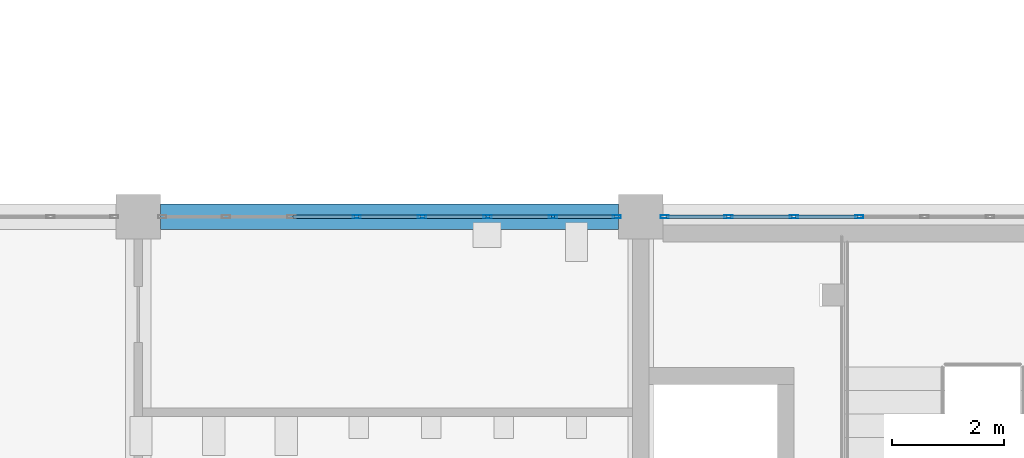
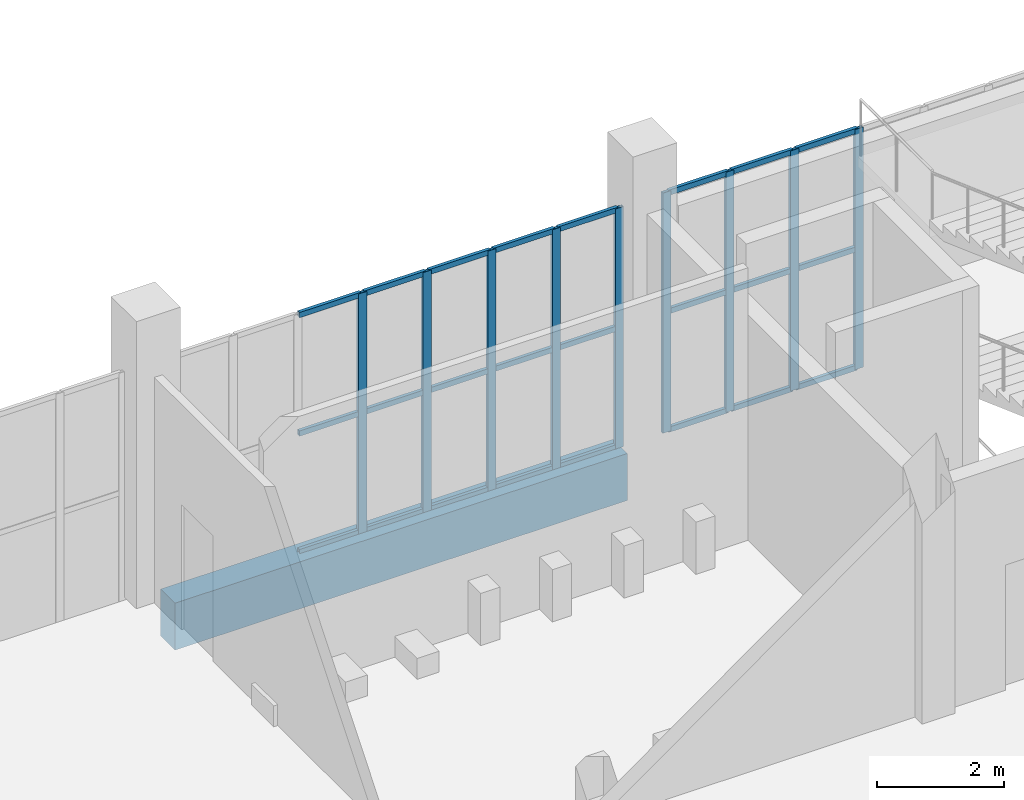
# One storey, part 39 of 185: 33 members, 1 beam, 2 elements without a shape of their own.
"""IFC4 building model written with IfcOpenShell, lengths in metres."""

import ifcopenshell
import ifcopenshell.guid

model = None  # the IFC model being written
_history = None  # IfcOwnerHistory: only IFC2X3 demands one
_inside = {}  # id of a spatial element -> (the spatial element, [elements in it])
_under = {}  # id of a project, library or spatial element -> (it, [spatial elements below it])
_declared = {}  # id of a project -> (the project, [libraries it declares])
_typed = {}  # id of a type object -> (the type object, [elements of that type])
_made_of = {}  # id of a material, layer set ... -> (it, [elements and type objects made of it])


def new_model(schema):
    """Start an empty IFC model of exactly this schema.

    Asked for "IFC4X3", IfcOpenShell would pick the latest addendum, in which some entities
    have other attributes; the version numbers below select the first issue.
    IFC2X3 requires an IfcOwnerHistory on every rooted entity: one is made here for all.
    """
    global model, _history
    if schema == "IFC4X3":
        model = ifcopenshell.file(schema_version=(4, 3, 0, 0))
    else:
        model = ifcopenshell.file(schema=schema)
    _inside.clear()
    _under.clear()
    _declared.clear()
    _typed.clear()
    _made_of.clear()
    _history = None
    if model.schema == "IFC2X3":
        org = make("IfcOrganization", Name="unknown")
        user = make(
            "IfcPersonAndOrganization",
            ThePerson=make("IfcPerson", FamilyName="unknown"),
            TheOrganization=org,
        )
        app = make(
            "IfcApplication",
            ApplicationDeveloper=org,
            Version="unknown",
            ApplicationFullName="unknown",
            ApplicationIdentifier="unknown",
        )
        _history = make(
            "IfcOwnerHistory",
            OwningUser=user,
            OwningApplication=app,
            ChangeAction="ADDED",
            CreationDate=0,
        )
    return model


def make(cls, **values):
    """One entity of the class cls with the attributes given. An attribute that is None is left unset."""
    return model.create_entity(
        cls, **{name: value for name, value in values.items() if value is not None}
    )


def rooted(cls, **values):
    """An entity with a GlobalId (a new one), such as an element, a storey or a relation."""
    return make(cls, GlobalId=ifcopenshell.guid.new(), OwnerHistory=_history, **values)


def si_unit(unit_type, name, prefix=None):
    """IfcSIUnit, for example si_unit("LENGTHUNIT", "METRE", prefix="MILLI")."""
    return make("IfcSIUnit", UnitType=unit_type, Prefix=prefix, Name=name)


def assignment(units):
    """IfcUnitAssignment: the units of a project."""
    return None if units is None else make("IfcUnitAssignment", Units=units)


def point(xyz):
    """IfcCartesianPoint."""
    return None if xyz is None else make("IfcCartesianPoint", Coordinates=xyz)


def direction(xyz):
    """IfcDirection."""
    return None if xyz is None else make("IfcDirection", DirectionRatios=xyz)


def frame(location, z_axis=None, x_axis=None):
    """IfcAxis2Placement3D, a coordinate frame: its origin and axes. An axis left out is left unset."""
    return make(
        "IfcAxis2Placement3D",
        Location=point(location),
        Axis=direction(z_axis),
        RefDirection=direction(x_axis),
    )


def frame_2d(location, x_axis=None):
    """IfcAxis2Placement2D, a coordinate frame in the plane: its origin and x axis."""
    return make(
        "IfcAxis2Placement2D", Location=point(location), RefDirection=direction(x_axis)
    )


def origin():
    """The frame at (0, 0, 0) with its axes left unset."""
    return frame((0.0, 0.0, 0.0))


def origin_2d():
    """The frame at (0, 0) in the plane with its x axis left unset."""
    return frame_2d((0.0, 0.0))


def place(relative_to, where):
    """IfcLocalPlacement: puts the frame where relative to a parent placement (None: the world)."""
    return make(
        "IfcLocalPlacement", PlacementRelTo=relative_to, RelativePlacement=where
    )


def context(
    kind, dimensions, precision=None, world=None, true_north=None, identifier=None
):
    """IfcGeometricRepresentationContext, for example the 3D "Model" context."""
    return make(
        "IfcGeometricRepresentationContext",
        ContextIdentifier=identifier,
        ContextType=kind,
        CoordinateSpaceDimension=dimensions,
        Precision=precision,
        WorldCoordinateSystem=world,
        TrueNorth=true_north,
    )


def subcontext(parent, identifier, kind, view, scale=None):
    """IfcGeometricRepresentationSubContext, for example "Body" below "Model"."""
    return make(
        "IfcGeometricRepresentationSubContext",
        ContextIdentifier=identifier,
        ContextType=kind,
        ParentContext=parent,
        TargetScale=scale,
        TargetView=view,
    )


def project(units=None, contexts=None):
    """IfcProject with its units and contexts."""
    return rooted(
        "IfcProject",
        Name="project",
        RepresentationContexts=contexts,
        UnitsInContext=assignment(units),
    )


def spatial(cls, under=None, at=None, **own):
    """A site, building, storey or space (cls), placed at a placement, below another one or the project."""
    s = rooted(cls, ObjectPlacement=at, **own)
    if under is not None:
        _under.setdefault(under.id(), (under, []))[1].append(s)
    return s


def profile(cls, at=None, kind="AREA", **sizes):
    """A parametric profile (cls). Its sizes go by their IFC names, for example OverallWidth=200.0."""
    return make(cls, ProfileType=kind, Position=at, **sizes)


def rectangle(**sizes):
    """IfcRectangleProfileDef."""
    return profile("IfcRectangleProfileDef", **sizes)


def hollow_rectangle(**sizes):
    """IfcRectangleHollowProfileDef."""
    return profile("IfcRectangleHollowProfileDef", **sizes)


def extrude(swept, where, along, depth):
    """IfcExtrudedAreaSolid: the profile swept, set in the frame where, extruded along a direction by depth."""
    return make(
        "IfcExtrudedAreaSolid",
        SweptArea=swept,
        Position=where,
        ExtrudedDirection=direction(along),
        Depth=depth,
    )


def shape(context_of_items, identifier, shape_type, items):
    """IfcShapeRepresentation: the items that make up one representation, for example the "Body"."""
    return make(
        "IfcShapeRepresentation",
        ContextOfItems=context_of_items,
        RepresentationIdentifier=identifier,
        RepresentationType=shape_type,
        Items=items,
    )


def material(Name=None, Category=None):
    """IfcMaterial."""
    return make("IfcMaterial", Name=Name, Category=Category)


def layer(
    of_material, thickness, ventilated=None, Name=None, Category=None, Priority=None
):
    """IfcMaterialLayer: one layer of a wall or slab, of a material (None: an air gap)."""
    return make(
        "IfcMaterialLayer",
        Material=of_material,
        LayerThickness=thickness,
        IsVentilated=ventilated,
        Name=Name,
        Category=Category,
        Priority=Priority,
    )


def layer_set(layers, Name=None):
    """IfcMaterialLayerSet."""
    return make("IfcMaterialLayerSet", MaterialLayers=layers, LayerSetName=Name)


def material_profile(
    of_material, cross_section, Name=None, Category=None, Priority=None
):
    """IfcMaterialProfile: a cross section and its material."""
    return make(
        "IfcMaterialProfile",
        Name=Name,
        Material=of_material,
        Profile=cross_section,
        Priority=Priority,
        Category=Category,
    )


def profile_set(profiles, Name=None, composite=None):
    """IfcMaterialProfileSet."""
    return make(
        "IfcMaterialProfileSet",
        Name=Name,
        MaterialProfiles=profiles,
        CompositeProfile=composite,
    )


def made_of(thing, what):
    """Note that an element or type object is made of a material, layer set ...; save() writes the relation."""
    if what is not None:
        _made_of.setdefault(what.id(), (what, []))[1].append(thing)
    return thing


def type_object(cls, material=None, **own):
    """A type object (cls), such as IfcWallType, which elements share."""
    return made_of(rooted(cls, **own), material)


def element(
    cls,
    number,
    at=None,
    inside=None,
    cuts=None,
    type_object=None,
    material=None,
    context=None,
    identifier="Body",
    shape_type=None,
    held_by="IfcProductDefinitionShape",
    body=None,
    shapes=None,
    **own,
):
    """One element of the class cls, such as IfcWall. Its Tag is "e" and its number.

    at: its placement. inside: the storey or other place that contains it. cuts: it is an
    opening in that element (IfcRelVoidsElement). A single representation is given by context,
    identifier, shape_type and body (its items); several are given by shapes. held_by: the class
    of the entity that holds the representations. save() writes the other relations.
    """
    e = rooted(cls, Tag="e%d" % number, ObjectPlacement=at, **own)
    if body is not None:
        shapes = [shape(context, identifier, shape_type, body)]
    if shapes is not None:
        e.Representation = make(held_by, Representations=shapes)
    if inside is not None:
        _inside.setdefault(inside.id(), (inside, []))[1].append(e)
    if cuts is not None:
        rooted(
            "IfcRelVoidsElement", RelatingBuildingElement=cuts, RelatedOpeningElement=e
        )
    if type_object is not None:
        _typed.setdefault(type_object.id(), (type_object, []))[1].append(e)
    return made_of(e, material)


def aggregate(whole, parts):
    """IfcRelAggregates: a whole, such as a stair, and the parts it consists of."""
    return rooted("IfcRelAggregates", RelatingObject=whole, RelatedObjects=parts)


def save(model, path):
    """Write the relations noted so far, then the file.

    IfcRelAggregates (storeys below a building ...), IfcRelContainedInSpatialStructure (elements
    in a storey), IfcRelDefinesByType, IfcRelAssociatesMaterial and IfcRelDeclares: one each for
    every whole, place, type object, material and project.
    """
    for whole, parts in _under.values():
        aggregate(whole, parts)
    for where, things in _inside.values():
        rooted(
            "IfcRelContainedInSpatialStructure",
            RelatedElements=things,
            RelatingStructure=where,
        )
    for kind, things in _typed.values():
        rooted("IfcRelDefinesByType", RelatedObjects=things, RelatingType=kind)
    for what, things in _made_of.values():
        rooted("IfcRelAssociatesMaterial", RelatedObjects=things, RelatingMaterial=what)
    for by, libraries in _declared.values():
        rooted("IfcRelDeclares", RelatingContext=by, RelatedDefinitions=libraries)
    model.write(path)


model = new_model("IFC4")

# Units and contexts
model_context = context("Model", 3, precision=1e-05, world=origin(), true_north=direction((0.0, 1.0)))
body_context = subcontext(model_context, "Body", "Model", "MODEL_VIEW")
ifc_project = project(units=[si_unit("LENGTHUNIT", "METRE"), si_unit("AREAUNIT", "SQUARE_METRE"), si_unit("VOLUMEUNIT", "CUBIC_METRE"), si_unit("PLANEANGLEUNIT", "RADIAN"), si_unit("MASSUNIT", "GRAM", prefix="KILO")], contexts=[model_context])

# Site, building, storey
site_placement = place(None, origin())
site = spatial("IfcSite", under=ifc_project, at=site_placement, CompositionType="ELEMENT")
building_placement = place(site_placement, origin())
building = spatial("IfcBuilding", under=site, at=building_placement, Name="Opaline Strait Convention Centre", CompositionType="ELEMENT")
storey_placement = place(building_placement, frame((0.0, 0.0, 6.0)))
storey = spatial("IfcBuildingStorey", under=building, at=storey_placement, Name="L01", CompositionType="ELEMENT", Elevation=6.0)

# Curtain wall, members
ifc_material_1 = material(Name="Aluminium framed double glazing", Category="aluminium")
ifc_layer = layer(ifc_material_1, 0.199951171875)
ifc_layer_set = layer_set([ifc_layer], Name="Aluminium framed double glazing")
curtain_wall_type = type_object("IfcCurtainWallType", Name="Curtain wall 1250", PredefinedType="NOTDEFINED", material=ifc_layer_set)
curtain_wall_1_placement = place(storey_placement, origin())
curtain_wall_1 = element("IfcCurtainWall", 1, at=curtain_wall_1_placement, inside=storey, type_object=curtain_wall_type, Name="Curtain wall N-54-L01", PredefinedType="NOTDEFINED")
ifc_material_2 = material(Name="Aluminium alloy 6063", Category="aluminium")
ifc_material_profile_1 = material_profile(ifc_material_2, hollow_rectangle(XDim=0.06005859375, YDim=0.14990234375, WallThickness=0.00390625, at=origin_2d()), Name="MULLION 60x150x4")
ifc_profile_set_1 = profile_set([ifc_material_profile_1], Name="Aluminium alloy 6063")
member_type_1 = type_object("IfcMemberType", Name="Curtain wall mullion 60 x 150", PredefinedType="MULLION", material=ifc_profile_set_1)
member_1_placement = place(storey_placement, frame((57.914306640625, 180.0, -0.280029296875), z_axis=(0.0, 0.0, 1.0), x_axis=(0.0, 1.0, 0.0)))
member_1 = element("IfcMember", 2, at=member_1_placement, type_object=member_type_1, Name="PCW mullion 4", PredefinedType="MULLION", context=body_context, shape_type="SweptSolid", body=[
    extrude(hollow_rectangle(XDim=0.06005859375, YDim=0.14990234375, WallThickness=0.00390625, at=origin_2d()), origin(), (0.0, 0.0, 1.0), 4.60009765625),
])
member_2_placement = place(storey_placement, frame((59.085693359375, 180.0, -0.280029296875), z_axis=(0.0, 0.0, 1.0), x_axis=(0.0, 1.0, 0.0)))
member_2 = element("IfcMember", 3, at=member_2_placement, type_object=member_type_1, Name="PCW mullion 5", PredefinedType="MULLION", context=body_context, shape_type="SweptSolid", body=[
    extrude(hollow_rectangle(XDim=0.06005859375, YDim=0.14990234375, WallThickness=0.00390625, at=origin_2d()), origin(), (0.0, 0.0, 1.0), 4.60009765625),
])
member_3_placement = place(storey_placement, frame((60.257080078125, 180.0, -0.280029296875), z_axis=(0.0, 0.0, 1.0), x_axis=(0.0, 1.0, 0.0)))
member_3 = element("IfcMember", 4, at=member_3_placement, type_object=member_type_1, Name="PCW mullion 6", PredefinedType="MULLION", context=body_context, shape_type="SweptSolid", body=[
    extrude(hollow_rectangle(XDim=0.06005859375, YDim=0.14990234375, WallThickness=0.00390625, at=origin_2d()), origin(), (0.0, 0.0, 1.0), 4.60009765625),
])
member_4_placement = place(storey_placement, frame((61.4287109375, 180.0, -0.280029296875), z_axis=(0.0, 0.0, 1.0), x_axis=(0.0, 1.0, 0.0)))
member_4 = element("IfcMember", 5, at=member_4_placement, type_object=member_type_1, Name="PCW mullion 7", PredefinedType="MULLION", context=body_context, shape_type="SweptSolid", body=[
    extrude(hollow_rectangle(XDim=0.06005859375, YDim=0.14990234375, WallThickness=0.00390625, at=origin_2d()), origin(), (0.0, 0.0, 1.0), 4.60009765625),
])
member_5_placement = place(storey_placement, frame((62.570068359375, 180.0, -0.280029296875), z_axis=(0.0, 0.0, 1.0), x_axis=(0.0, 1.0, 0.0)))
member_5 = element("IfcMember", 6, at=member_5_placement, type_object=member_type_1, Name="PCW mullion 8", PredefinedType="MULLION", context=body_context, shape_type="SweptSolid", body=[
    extrude(hollow_rectangle(XDim=0.06005859375, YDim=0.14990234375, WallThickness=0.00390625, at=origin_2d()), origin(), (0.0, 0.0, 1.0), 4.60009765625),
])

curtain_wall_2_placement = place(storey_placement, origin())
curtain_wall_2 = element("IfcCurtainWall", 7, at=curtain_wall_2_placement, inside=storey, type_object=curtain_wall_type, Name="Curtain wall N-63-L01", PredefinedType="NOTDEFINED")
member_6_placement = place(storey_placement, frame((63.429931640625, 180.0, -0.280029296875), z_axis=(0.0, 0.0, 1.0), x_axis=(0.0, 1.0, 0.0)))
member_6 = element("IfcMember", 8, at=member_6_placement, type_object=member_type_1, Name="PCW mullion 1", PredefinedType="MULLION", context=body_context, shape_type="SweptSolid", body=[
    extrude(hollow_rectangle(XDim=0.06005859375, YDim=0.14990234375, WallThickness=0.00390625, at=origin_2d()), origin(), (0.0, 0.0, 1.0), 4.60009765625),
])
member_7_placement = place(storey_placement, frame((64.5712890625, 180.0, -0.280029296875), z_axis=(0.0, 0.0, 1.0), x_axis=(0.0, 1.0, 0.0)))
member_7 = element("IfcMember", 9, at=member_7_placement, type_object=member_type_1, Name="PCW mullion 2", PredefinedType="MULLION", context=body_context, shape_type="SweptSolid", body=[
    extrude(hollow_rectangle(XDim=0.06005859375, YDim=0.14990234375, WallThickness=0.00390625, at=origin_2d()), origin(), (0.0, 0.0, 1.0), 4.60009765625),
])
member_8_placement = place(storey_placement, frame((65.742919921875, 180.0, -0.280029296875), z_axis=(0.0, 0.0, 1.0), x_axis=(0.0, 1.0, 0.0)))
member_8 = element("IfcMember", 10, at=member_8_placement, type_object=member_type_1, Name="PCW mullion 3", PredefinedType="MULLION", context=body_context, shape_type="SweptSolid", body=[
    extrude(hollow_rectangle(XDim=0.06005859375, YDim=0.14990234375, WallThickness=0.00390625, at=origin_2d()), origin(), (0.0, 0.0, 1.0), 4.60009765625),
])
member_9_placement = place(storey_placement, frame((66.914306640625, 180.0, -0.280029296875), z_axis=(0.0, 0.0, 1.0), x_axis=(0.0, 1.0, 0.0)))
member_9 = element("IfcMember", 11, at=member_9_placement, type_object=member_type_1, Name="PCW mullion 4", PredefinedType="MULLION", context=body_context, shape_type="SweptSolid", body=[
    extrude(hollow_rectangle(XDim=0.06005859375, YDim=0.14990234375, WallThickness=0.00390625, at=origin_2d()), origin(), (0.0, 0.0, 1.0), 4.60009765625),
])

# Member
ifc_material_profile_2 = material_profile(ifc_material_2, hollow_rectangle(XDim=0.06005859375, YDim=0.10009765625, WallThickness=0.0029296875, at=origin_2d()), Name="TRANSOM 60x100x3")
ifc_profile_set_2 = profile_set([ifc_material_profile_2], Name="Aluminium alloy 6063")
member_type_2 = type_object("IfcMemberType", Name="Curtain wall transom 60 x 100", PredefinedType="USERDEFINED", material=ifc_profile_set_2)
member_10_placement = place(storey_placement, frame((56.772705078125, 180.0, -0.25), z_axis=(1.0, 0.0, 0.0), x_axis=(0.0, 1.0, 0.0)))
member_10 = element("IfcMember", 12, at=member_10_placement, type_object=member_type_2, Name="PCW transom 3.1", ObjectType="TRANSOM", PredefinedType="USERDEFINED", context=body_context, shape_type="SweptSolid", body=[
    extrude(hollow_rectangle(XDim=0.06005859375, YDim=0.10009765625, WallThickness=0.0029296875, at=origin_2d()), origin(), (0.0, 0.0, 1.0), 1.111572265625),
])

member_11_placement = place(storey_placement, frame((56.772705078125, 180.0, 2.02001953125), z_axis=(1.0, 0.0, 0.0), x_axis=(0.0, 1.0, 0.0)))
member_11 = element("IfcMember", 13, at=member_11_placement, type_object=member_type_2, Name="PCW transom 3.2", ObjectType="TRANSOM", PredefinedType="USERDEFINED", context=body_context, shape_type="SweptSolid", body=[
    extrude(hollow_rectangle(XDim=0.06005859375, YDim=0.10009765625, WallThickness=0.0029296875, at=origin_2d()), origin(), (0.0, 0.0, 1.0), 1.111572265625),
])

member_12_placement = place(storey_placement, frame((56.772705078125, 180.0, 4.2900390625), z_axis=(1.0, 0.0, 0.0), x_axis=(0.0, 1.0, 0.0)))
member_12 = element("IfcMember", 14, at=member_12_placement, type_object=member_type_2, Name="PCW transom 3.3", ObjectType="TRANSOM", PredefinedType="USERDEFINED", context=body_context, shape_type="SweptSolid", body=[
    extrude(hollow_rectangle(XDim=0.06005859375, YDim=0.10009765625, WallThickness=0.0029296875, at=origin_2d()), origin(), (0.0, 0.0, 1.0), 1.111572265625),
])

member_13_placement = place(storey_placement, frame((57.9443359375, 180.0, -0.25), z_axis=(1.0, 0.0, 0.0), x_axis=(0.0, 1.0, 0.0)))
member_13 = element("IfcMember", 15, at=member_13_placement, type_object=member_type_2, Name="PCW transom 4.1", ObjectType="TRANSOM", PredefinedType="USERDEFINED", context=body_context, shape_type="SweptSolid", body=[
    extrude(hollow_rectangle(XDim=0.06005859375, YDim=0.10009765625, WallThickness=0.0029296875, at=origin_2d()), origin(), (0.0, 0.0, 1.0), 1.111328125),
])

member_14_placement = place(storey_placement, frame((57.9443359375, 180.0, 2.02001953125), z_axis=(1.0, 0.0, 0.0), x_axis=(0.0, 1.0, 0.0)))
member_14 = element("IfcMember", 16, at=member_14_placement, type_object=member_type_2, Name="PCW transom 4.2", ObjectType="TRANSOM", PredefinedType="USERDEFINED", context=body_context, shape_type="SweptSolid", body=[
    extrude(hollow_rectangle(XDim=0.06005859375, YDim=0.10009765625, WallThickness=0.0029296875, at=origin_2d()), origin(), (0.0, 0.0, 1.0), 1.111328125),
])

member_15_placement = place(storey_placement, frame((57.9443359375, 180.0, 4.2900390625), z_axis=(1.0, 0.0, 0.0), x_axis=(0.0, 1.0, 0.0)))
member_15 = element("IfcMember", 17, at=member_15_placement, type_object=member_type_2, Name="PCW transom 4.3", ObjectType="TRANSOM", PredefinedType="USERDEFINED", context=body_context, shape_type="SweptSolid", body=[
    extrude(hollow_rectangle(XDim=0.06005859375, YDim=0.10009765625, WallThickness=0.0029296875, at=origin_2d()), origin(), (0.0, 0.0, 1.0), 1.111328125),
])

member_16_placement = place(storey_placement, frame((59.11572265625, 180.0, -0.25), z_axis=(1.0, 0.0, 0.0), x_axis=(0.0, 1.0, 0.0)))
member_16 = element("IfcMember", 18, at=member_16_placement, type_object=member_type_2, Name="PCW transom 5.1", ObjectType="TRANSOM", PredefinedType="USERDEFINED", context=body_context, shape_type="SweptSolid", body=[
    extrude(hollow_rectangle(XDim=0.06005859375, YDim=0.10009765625, WallThickness=0.0029296875, at=origin_2d()), origin(), (0.0, 0.0, 1.0), 1.111572265625),
])

member_17_placement = place(storey_placement, frame((59.11572265625, 180.0, 2.02001953125), z_axis=(1.0, 0.0, 0.0), x_axis=(0.0, 1.0, 0.0)))
member_17 = element("IfcMember", 19, at=member_17_placement, type_object=member_type_2, Name="PCW transom 5.2", ObjectType="TRANSOM", PredefinedType="USERDEFINED", context=body_context, shape_type="SweptSolid", body=[
    extrude(hollow_rectangle(XDim=0.06005859375, YDim=0.10009765625, WallThickness=0.0029296875, at=origin_2d()), origin(), (0.0, 0.0, 1.0), 1.111572265625),
])

member_18_placement = place(storey_placement, frame((59.11572265625, 180.0, 4.2900390625), z_axis=(1.0, 0.0, 0.0), x_axis=(0.0, 1.0, 0.0)))
member_18 = element("IfcMember", 20, at=member_18_placement, type_object=member_type_2, Name="PCW transom 5.3", ObjectType="TRANSOM", PredefinedType="USERDEFINED", context=body_context, shape_type="SweptSolid", body=[
    extrude(hollow_rectangle(XDim=0.06005859375, YDim=0.10009765625, WallThickness=0.0029296875, at=origin_2d()), origin(), (0.0, 0.0, 1.0), 1.111572265625),
])

member_19_placement = place(storey_placement, frame((60.287109375, 180.0, -0.25), z_axis=(1.0, 0.0, 0.0), x_axis=(0.0, 1.0, 0.0)))
member_19 = element("IfcMember", 21, at=member_19_placement, type_object=member_type_2, Name="PCW transom 6.1", ObjectType="TRANSOM", PredefinedType="USERDEFINED", context=body_context, shape_type="SweptSolid", body=[
    extrude(hollow_rectangle(XDim=0.06005859375, YDim=0.10009765625, WallThickness=0.0029296875, at=origin_2d()), origin(), (0.0, 0.0, 1.0), 1.111572265625),
])

member_20_placement = place(storey_placement, frame((60.287109375, 180.0, 2.02001953125), z_axis=(1.0, 0.0, 0.0), x_axis=(0.0, 1.0, 0.0)))
member_20 = element("IfcMember", 22, at=member_20_placement, type_object=member_type_2, Name="PCW transom 6.2", ObjectType="TRANSOM", PredefinedType="USERDEFINED", context=body_context, shape_type="SweptSolid", body=[
    extrude(hollow_rectangle(XDim=0.06005859375, YDim=0.10009765625, WallThickness=0.0029296875, at=origin_2d()), origin(), (0.0, 0.0, 1.0), 1.111572265625),
])

member_21_placement = place(storey_placement, frame((60.287109375, 180.0, 4.2900390625), z_axis=(1.0, 0.0, 0.0), x_axis=(0.0, 1.0, 0.0)))
member_21 = element("IfcMember", 23, at=member_21_placement, type_object=member_type_2, Name="PCW transom 6.3", ObjectType="TRANSOM", PredefinedType="USERDEFINED", context=body_context, shape_type="SweptSolid", body=[
    extrude(hollow_rectangle(XDim=0.06005859375, YDim=0.10009765625, WallThickness=0.0029296875, at=origin_2d()), origin(), (0.0, 0.0, 1.0), 1.111572265625),
])

member_22_placement = place(storey_placement, frame((61.458740234375, 180.0, -0.25), z_axis=(1.0, 0.0, 0.0), x_axis=(0.0, 1.0, 0.0)))
member_22 = element("IfcMember", 24, at=member_22_placement, type_object=member_type_2, Name="PCW transom 7.1", ObjectType="TRANSOM", PredefinedType="USERDEFINED", context=body_context, shape_type="SweptSolid", body=[
    extrude(hollow_rectangle(XDim=0.06005859375, YDim=0.10009765625, WallThickness=0.0029296875, at=origin_2d()), origin(), (0.0, 0.0, 1.0), 1.081298828125),
])

member_23_placement = place(storey_placement, frame((61.458740234375, 180.0, 2.02001953125), z_axis=(1.0, 0.0, 0.0), x_axis=(0.0, 1.0, 0.0)))
member_23 = element("IfcMember", 25, at=member_23_placement, type_object=member_type_2, Name="PCW transom 7.2", ObjectType="TRANSOM", PredefinedType="USERDEFINED", context=body_context, shape_type="SweptSolid", body=[
    extrude(hollow_rectangle(XDim=0.06005859375, YDim=0.10009765625, WallThickness=0.0029296875, at=origin_2d()), origin(), (0.0, 0.0, 1.0), 1.081298828125),
])

member_24_placement = place(storey_placement, frame((61.458740234375, 180.0, 4.2900390625), z_axis=(1.0, 0.0, 0.0), x_axis=(0.0, 1.0, 0.0)))
member_24 = element("IfcMember", 26, at=member_24_placement, type_object=member_type_2, Name="PCW transom 7.3", ObjectType="TRANSOM", PredefinedType="USERDEFINED", context=body_context, shape_type="SweptSolid", body=[
    extrude(hollow_rectangle(XDim=0.06005859375, YDim=0.10009765625, WallThickness=0.0029296875, at=origin_2d()), origin(), (0.0, 0.0, 1.0), 1.081298828125),
])

aggregate(curtain_wall_1, [member_1, member_2, member_3, member_4, member_5, member_10, member_11, member_12, member_13, member_14, member_15, member_16, member_17, member_18, member_19, member_20, member_21, member_22, member_23, member_24])

member_25_placement = place(storey_placement, frame((63.4599609375, 180.0, -0.25), z_axis=(1.0, 0.0, 0.0), x_axis=(0.0, 1.0, 0.0)))
member_25 = element("IfcMember", 27, at=member_25_placement, type_object=member_type_2, Name="PCW transom 1.1", ObjectType="TRANSOM", PredefinedType="USERDEFINED", context=body_context, shape_type="SweptSolid", body=[
    extrude(hollow_rectangle(XDim=0.06005859375, YDim=0.10009765625, WallThickness=0.0029296875, at=origin_2d()), origin(), (0.0, 0.0, 1.0), 1.081298828125),
])

member_26_placement = place(storey_placement, frame((63.4599609375, 180.0, 2.02001953125), z_axis=(1.0, 0.0, 0.0), x_axis=(0.0, 1.0, 0.0)))
member_26 = element("IfcMember", 28, at=member_26_placement, type_object=member_type_2, Name="PCW transom 1.2", ObjectType="TRANSOM", PredefinedType="USERDEFINED", context=body_context, shape_type="SweptSolid", body=[
    extrude(hollow_rectangle(XDim=0.06005859375, YDim=0.10009765625, WallThickness=0.0029296875, at=origin_2d()), origin(), (0.0, 0.0, 1.0), 1.081298828125),
])

member_27_placement = place(storey_placement, frame((63.4599609375, 180.0, 4.2900390625), z_axis=(1.0, 0.0, 0.0), x_axis=(0.0, 1.0, 0.0)))
member_27 = element("IfcMember", 29, at=member_27_placement, type_object=member_type_2, Name="PCW transom 1.3", ObjectType="TRANSOM", PredefinedType="USERDEFINED", context=body_context, shape_type="SweptSolid", body=[
    extrude(hollow_rectangle(XDim=0.06005859375, YDim=0.10009765625, WallThickness=0.0029296875, at=origin_2d()), origin(), (0.0, 0.0, 1.0), 1.081298828125),
])

member_28_placement = place(storey_placement, frame((64.601318359375, 180.0, -0.25), z_axis=(1.0, 0.0, 0.0), x_axis=(0.0, 1.0, 0.0)))
member_28 = element("IfcMember", 30, at=member_28_placement, type_object=member_type_2, Name="PCW transom 2.1", ObjectType="TRANSOM", PredefinedType="USERDEFINED", context=body_context, shape_type="SweptSolid", body=[
    extrude(hollow_rectangle(XDim=0.06005859375, YDim=0.10009765625, WallThickness=0.0029296875, at=origin_2d()), origin(), (0.0, 0.0, 1.0), 1.111572265625),
])

member_29_placement = place(storey_placement, frame((64.601318359375, 180.0, 2.02001953125), z_axis=(1.0, 0.0, 0.0), x_axis=(0.0, 1.0, 0.0)))
member_29 = element("IfcMember", 31, at=member_29_placement, type_object=member_type_2, Name="PCW transom 2.2", ObjectType="TRANSOM", PredefinedType="USERDEFINED", context=body_context, shape_type="SweptSolid", body=[
    extrude(hollow_rectangle(XDim=0.06005859375, YDim=0.10009765625, WallThickness=0.0029296875, at=origin_2d()), origin(), (0.0, 0.0, 1.0), 1.111572265625),
])

member_30_placement = place(storey_placement, frame((64.601318359375, 180.0, 4.2900390625), z_axis=(1.0, 0.0, 0.0), x_axis=(0.0, 1.0, 0.0)))
member_30 = element("IfcMember", 32, at=member_30_placement, type_object=member_type_2, Name="PCW transom 2.3", ObjectType="TRANSOM", PredefinedType="USERDEFINED", context=body_context, shape_type="SweptSolid", body=[
    extrude(hollow_rectangle(XDim=0.06005859375, YDim=0.10009765625, WallThickness=0.0029296875, at=origin_2d()), origin(), (0.0, 0.0, 1.0), 1.111572265625),
])

member_31_placement = place(storey_placement, frame((65.772705078125, 180.0, -0.25), z_axis=(1.0, 0.0, 0.0), x_axis=(0.0, 1.0, 0.0)))
member_31 = element("IfcMember", 33, at=member_31_placement, type_object=member_type_2, Name="PCW transom 3.1", ObjectType="TRANSOM", PredefinedType="USERDEFINED", context=body_context, shape_type="SweptSolid", body=[
    extrude(hollow_rectangle(XDim=0.06005859375, YDim=0.10009765625, WallThickness=0.0029296875, at=origin_2d()), origin(), (0.0, 0.0, 1.0), 1.111572265625),
])

member_32_placement = place(storey_placement, frame((65.772705078125, 180.0, 2.02001953125), z_axis=(1.0, 0.0, 0.0), x_axis=(0.0, 1.0, 0.0)))
member_32 = element("IfcMember", 34, at=member_32_placement, type_object=member_type_2, Name="PCW transom 3.2", ObjectType="TRANSOM", PredefinedType="USERDEFINED", context=body_context, shape_type="SweptSolid", body=[
    extrude(hollow_rectangle(XDim=0.06005859375, YDim=0.10009765625, WallThickness=0.0029296875, at=origin_2d()), origin(), (0.0, 0.0, 1.0), 1.111572265625),
])

member_33_placement = place(storey_placement, frame((65.772705078125, 180.0, 4.2900390625), z_axis=(1.0, 0.0, 0.0), x_axis=(0.0, 1.0, 0.0)))
member_33 = element("IfcMember", 35, at=member_33_placement, type_object=member_type_2, Name="PCW transom 3.3", ObjectType="TRANSOM", PredefinedType="USERDEFINED", context=body_context, shape_type="SweptSolid", body=[
    extrude(hollow_rectangle(XDim=0.06005859375, YDim=0.10009765625, WallThickness=0.0029296875, at=origin_2d()), origin(), (0.0, 0.0, 1.0), 1.111572265625),
])

aggregate(curtain_wall_2, [member_6, member_7, member_8, member_9, member_25, member_26, member_27, member_28, member_29, member_30, member_31, member_32, member_33])

# Beam
ifc_material_3 = material(Name="Concrete C35", Category="concrete")
ifc_material_profile_3 = material_profile(ifc_material_3, rectangle(XDim=0.449951171875, YDim=0.89990234375, at=origin_2d()), Name="RC 450x900")
ifc_profile_set_3 = profile_set([ifc_material_profile_3], Name="Concrete C35")
beam_type = type_object("IfcBeamType", Name="RC floor beam 450x900 C35", PredefinedType="BEAM", material=ifc_profile_set_3)
beam_placement = place(storey_placement, frame((54.39990234375, 180.0, -0.72998046875), z_axis=(1.0, 0.0, 0.0), x_axis=(0.0, 1.0, 0.0)))
element("IfcBeam", 36, at=beam_placement, inside=storey, type_object=beam_type, Name="PFB1 L01 beam 7/W-8/W", PredefinedType="BEAM", context=body_context, shape_type="SweptSolid", body=[
    extrude(rectangle(XDim=0.449951171875, YDim=0.89990234375, at=origin_2d()), origin(), (0.0, 0.0, 1.0), 8.2001953125),
])

save(model, "model.ifc")
